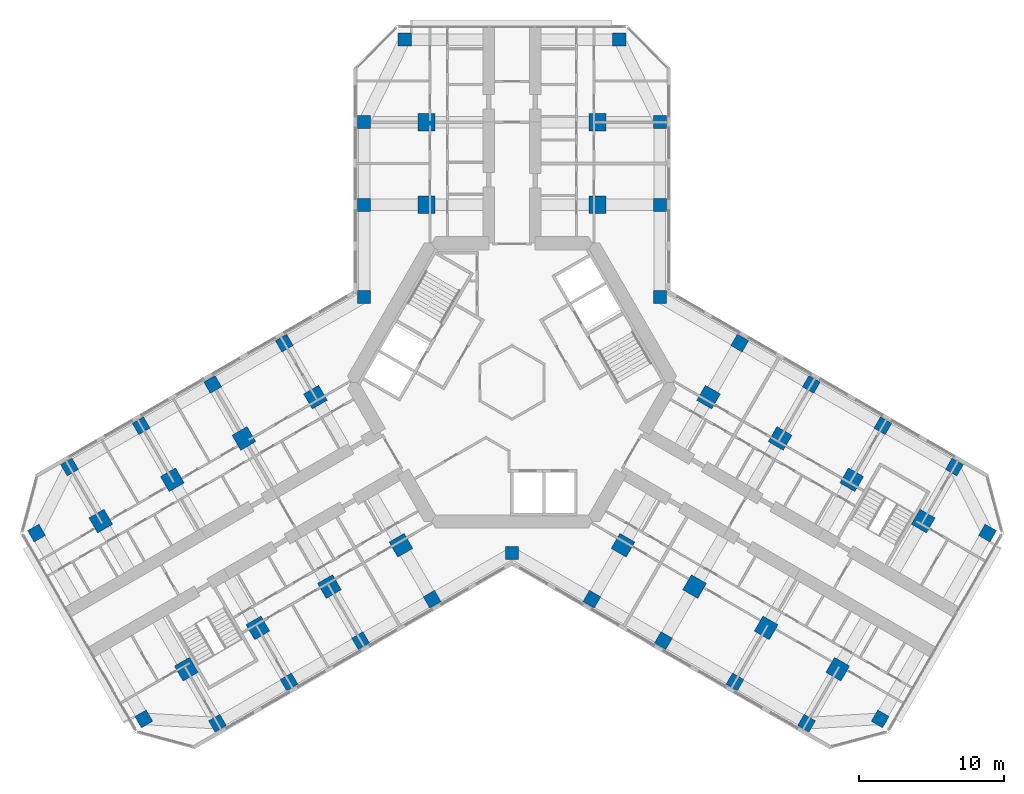
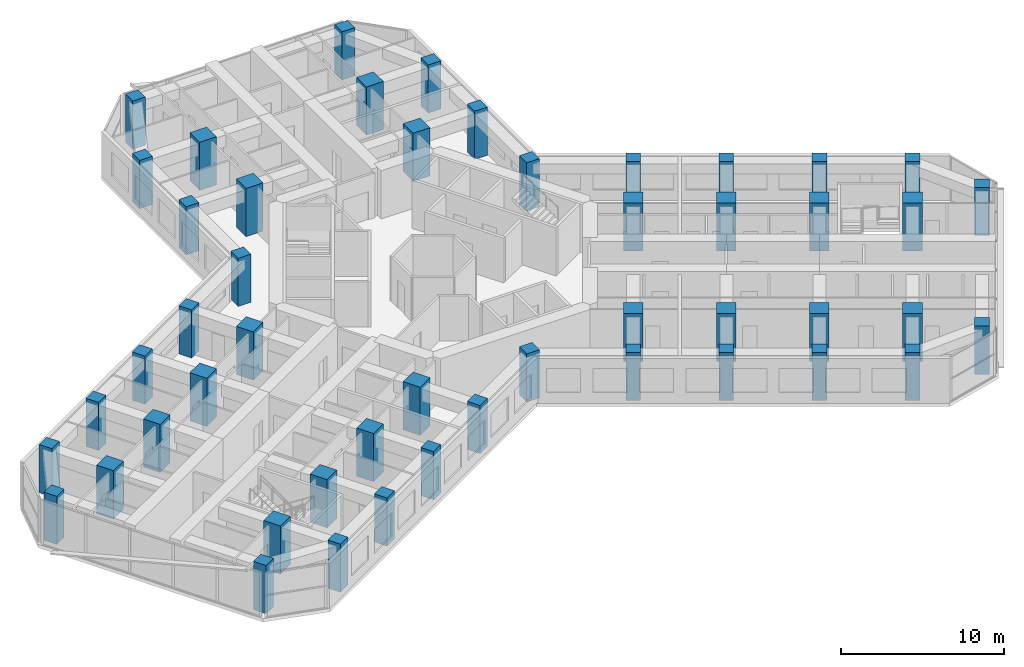
# One storey, part 1 of 19: 49 columns.
"""IFC4 building model written with IfcOpenShell, lengths in metres."""

from ifc_helpers import new_model, si_unit, direction, frame, origin, origin_2d, place, context, subcontext, project, spatial, rectangle, extrude, material, material_profile, profile_set, type_object, element, save


model = new_model("IFC4")

# Units and contexts
model_context = context("Model", 3, precision=1e-05, world=origin(), true_north=direction((0.0, 1.0)))
body_context = subcontext(model_context, "Body", "Model", "MODEL_VIEW")
ifc_project = project(units=[si_unit("LENGTHUNIT", "METRE"), si_unit("AREAUNIT", "SQUARE_METRE"), si_unit("VOLUMEUNIT", "CUBIC_METRE"), si_unit("PLANEANGLEUNIT", "RADIAN"), si_unit("MASSUNIT", "GRAM", prefix="KILO")], contexts=[model_context])

# Site, building, storey
site_placement = place(None, origin())
site = spatial("IfcSite", under=ifc_project, at=site_placement, CompositionType="ELEMENT")
building_placement = place(site_placement, origin())
building = spatial("IfcBuilding", under=site, at=building_placement, Name="Kosmar Iwan School Tower", CompositionType="ELEMENT")
storey_placement = place(building_placement, frame((0.0, 0.0, 145.39990234375)))
storey = spatial("IfcBuildingStorey", under=building, at=storey_placement, Name="L36", CompositionType="ELEMENT", Elevation=145.39990234375)

# Columns
ifc_material_1 = material(Name="Concrete C50/60", Category="concrete")
ifc_material_profile_1 = material_profile(ifc_material_1, rectangle(XDim=0.89990234375, YDim=0.89990234375, at=origin_2d()), Name="RC 900x900 + HD 400x634")
ifc_profile_set_1 = profile_set([ifc_material_profile_1], Name="Concrete C50/60")
column_type_1 = type_object("IfcColumnType", Name="Composite column 900x900 HD 400x634", PredefinedType="COLUMN", material=ifc_profile_set_1)
for number, where, z_axis, x_axis, name in (
    (1, (-10.199951171875, 12.25, 0.0), (0.0, 0.0, 1.0), (0.0, 1.0, 0.0), "Column AL1 L36"),
    (2, (-10.199951171875, 17.949951171875, 0.0), (0.0, 0.0, 1.0), (0.0, 1.0, 0.0), "Column AL2 L36"),
    (3, (-7.39990234375, 23.64990234375, 0.0), (0.0, 0.0, 1.0), (0.0, 1.0, 0.0), "Column ALTIP L36"),
    (4, (10.199951171875, 12.25, 0.0), (0.0, 0.0, 1.0), (0.0, 1.0, 0.0), "Column AR1 L36"),
    (5, (10.199951171875, 17.949951171875, 0.0), (0.0, 0.0, 1.0), (0.0, 1.0, 0.0), "Column AR2 L36"),
    (6, (7.39990234375, 23.64990234375, 0.0), (0.0, 0.0, 1.0), (0.0, 1.0, 0.0), "Column ARTIP L36"),
    (7, (-5.5087890625, -14.95849609375, 0.0), (0.0, 0.0, 1.0), (-0.866025403784, -0.5, 0.0), "Column BL1 L36"),
    (8, (-10.445068359375, -17.808349609375, 0.0), (0.0, 0.0, 1.0), (-0.866025403784, -0.5, 0.0), "Column BL2 L36"),
    (9, (-15.381591796875, -20.658447265625, 0.0), (0.0, 0.0, 1.0), (-0.866025403784, -0.5, 0.0), "Column BL3 L36"),
    (10, (-20.31787109375, -23.508544921875, 0.0), (0.0, 0.0, 1.0), (-0.866025403784, -0.5, 0.0), "Column BL4 L36"),
    (11, (-25.3984375, -23.20849609375, 0.0), (0.0, 0.0, 1.0), (-0.866025403784, -0.5, 0.0), "Column BLTIP L36"),
    (12, (-15.708740234375, 2.70849609375, 0.0), (0.0, 0.0, 1.0), (-0.866025403784, -0.5, 0.0), "Column BR1 L36"),
    (13, (-20.645263671875, -0.1416015625, 0.0), (0.0, 0.0, 1.0), (-0.866025403784, -0.5, 0.0), "Column BR2 L36"),
    (14, (-25.58154296875, -2.991455078125, 0.0), (0.0, 0.0, 1.0), (-0.866025403784, -0.5, 0.0), "Column BR3 L36"),
    (15, (-30.517822265625, -5.841552734375, 0.0), (0.0, 0.0, 1.0), (-0.866025403784, -0.5, 0.0), "Column BR4 L36"),
    (16, (-32.79833984375, -10.391357421875, 0.0), (0.0, 0.0, 1.0), (-0.866025403784, -0.5, 0.0), "Column BRTIP L36"),
    (17, (15.708740234375, 2.70849609375, 0.0), (0.0, 0.0, 1.0), (0.866025403784, -0.5, 0.0), "Column CL1 L36"),
    (18, (20.645263671875, -0.1416015625, 0.0), (0.0, 0.0, 1.0), (0.866025403784, -0.5, 0.0), "Column CL2 L36"),
    (19, (25.58154296875, -2.991455078125, 0.0), (0.0, 0.0, 1.0), (0.866025403784, -0.5, 0.0), "Column CL3 L36"),
    (20, (30.517822265625, -5.841552734375, 0.0), (0.0, 0.0, 1.0), (0.866025403784, -0.5, 0.0), "Column CL4 L36"),
    (21, (32.79833984375, -10.391357421875, 0.0), (0.0, 0.0, 1.0), (0.866025403784, -0.5, 0.0), "Column CLTIP L36"),
    (22, (5.5087890625, -14.95849609375, 0.0), (0.0, 0.0, 1.0), (0.866025403784, -0.5, 0.0), "Column CR1 L36"),
    (23, (10.445068359375, -17.808349609375, 0.0), (0.0, 0.0, 1.0), (0.866025403784, -0.5, 0.0), "Column CR2 L36"),
    (24, (15.381591796875, -20.658447265625, 0.0), (0.0, 0.0, 1.0), (0.866025403784, -0.5, 0.0), "Column CR3 L36"),
    (25, (20.31787109375, -23.508544921875, 0.0), (0.0, 0.0, 1.0), (0.866025403784, -0.5, 0.0), "Column CR4 L36"),
    (26, (25.3984375, -23.20849609375, 0.0), (0.0, 0.0, 1.0), (0.866025403784, -0.5, 0.0), "Column CRTIP L36"),
    (27, (-10.199951171875, 5.888916015625, 0.0), (0.0, 0.0, 1.0), (1.0, 0.0, 0.0), "Column RAB L36"),
    (28, (10.199951171875, 5.888916015625, 0.0), (0.0, 0.0, 1.0), (1.0, 0.0, 0.0), "Column RAC L36"),
    (29, (0.0, -11.77783203125, 0.0), (0.0, 0.0, 1.0), (1.0, 0.0, 0.0), "Column RBC L36"),
):
    element("IfcColumn", number, at=place(storey_placement, frame(where, z_axis=z_axis, x_axis=x_axis)), inside=storey, type_object=column_type_1, Name=name, PredefinedType="COLUMN", context=body_context, shape_type="SweptSolid", body=[
        extrude(rectangle(XDim=0.89990234375, YDim=0.89990234375, at=origin_2d()), origin(), (0.0, 0.0, 1.0), 3.60009765625),
    ])
ifc_material_2 = material(Name="Concrete C50/60", Category="concrete")
ifc_material_profile_2 = material_profile(ifc_material_2, rectangle(XDim=1.199951171875, YDim=1.199951171875, at=origin_2d()), Name="RC 1200x1200")
ifc_profile_set_2 = profile_set([ifc_material_profile_2], Name="Concrete C50/60")
column_type_2 = type_object("IfcColumnType", Name="RC interior column 1200x1200", PredefinedType="COLUMN", material=ifc_profile_set_2)
for number, where, z_axis, x_axis, name in (
    (30, (-5.89990234375, 12.25, 0.0), (0.0, 0.0, 1.0), (0.0, 1.0, 0.0), "Interior column ALI1 L36"),
    (31, (-5.89990234375, 17.949951171875, 0.0), (0.0, 0.0, 1.0), (0.0, 1.0, 0.0), "Interior column ALI2 L36"),
    (32, (5.89990234375, 12.25, 0.0), (0.0, 0.0, 1.0), (0.0, 1.0, 0.0), "Interior column ARI1 L36"),
    (33, (5.89990234375, 17.949951171875, 0.0), (0.0, 0.0, 1.0), (0.0, 1.0, 0.0), "Interior column ARI2 L36"),
    (34, (-7.65869140625, -11.234619140625, 0.0), (0.0, 0.0, 1.0), (-0.866025403784, -0.5, 0.0), "Interior column BLI1 L36"),
    (35, (-12.59521484375, -14.08447265625, 0.0), (0.0, 0.0, 1.0), (-0.866025403784, -0.5, 0.0), "Interior column BLI2 L36"),
    (36, (-17.531494140625, -16.9345703125, 0.0), (0.0, 0.0, 1.0), (-0.866025403784, -0.5, 0.0), "Interior column BLI3 L36"),
    (37, (-22.4677734375, -19.78466796875, 0.0), (0.0, 0.0, 1.0), (-0.866025403784, -0.5, 0.0), "Interior column BLI4 L36"),
    (38, (-13.558837890625, -1.015380859375, 0.0), (0.0, 0.0, 1.0), (-0.866025403784, -0.5, 0.0), "Interior column BRI1 L36"),
    (39, (-18.4951171875, -3.865478515625, 0.0), (0.0, 0.0, 1.0), (-0.866025403784, -0.5, 0.0), "Interior column BRI2 L36"),
    (40, (-23.431396484375, -6.71533203125, 0.0), (0.0, 0.0, 1.0), (-0.866025403784, -0.5, 0.0), "Interior column BRI3 L36"),
    (41, (-28.367919921875, -9.5654296875, 0.0), (0.0, 0.0, 1.0), (-0.866025403784, -0.5, 0.0), "Interior column BRI4 L36"),
    (42, (13.558837890625, -1.015380859375, 0.0), (0.0, 0.0, 1.0), (0.866025403784, -0.5, 0.0), "Interior column CLI1 L36"),
    (43, (18.4951171875, -3.865478515625, 0.0), (0.0, 0.0, 1.0), (0.866025403784, -0.5, 0.0), "Interior column CLI2 L36"),
    (44, (23.431396484375, -6.71533203125, 0.0), (0.0, 0.0, 1.0), (0.866025403784, -0.5, 0.0), "Interior column CLI3 L36"),
    (45, (28.367919921875, -9.5654296875, 0.0), (0.0, 0.0, 1.0), (0.866025403784, -0.5, 0.0), "Interior column CLI4 L36"),
    (46, (7.65869140625, -11.234619140625, 0.0), (0.0, 0.0, 1.0), (0.866025403784, -0.5, 0.0), "Interior column CRI1 L36"),
    (47, (12.59521484375, -14.08447265625, 0.0), (0.0, 0.0, 1.0), (0.866025403784, -0.5, 0.0), "Interior column CRI2 L36"),
    (48, (17.531494140625, -16.9345703125, 0.0), (0.0, 0.0, 1.0), (0.866025403784, -0.5, 0.0), "Interior column CRI3 L36"),
    (49, (22.4677734375, -19.78466796875, 0.0), (0.0, 0.0, 1.0), (0.866025403784, -0.5, 0.0), "Interior column CRI4 L36"),
):
    element("IfcColumn", number, at=place(storey_placement, frame(where, z_axis=z_axis, x_axis=x_axis)), inside=storey, type_object=column_type_2, Name=name, PredefinedType="COLUMN", context=body_context, shape_type="SweptSolid", body=[
        extrude(rectangle(XDim=1.199951171875, YDim=1.199951171875, at=origin_2d()), origin(), (0.0, 0.0, 1.0), 3.60009765625),
    ])

save(model, "model.ifc")
